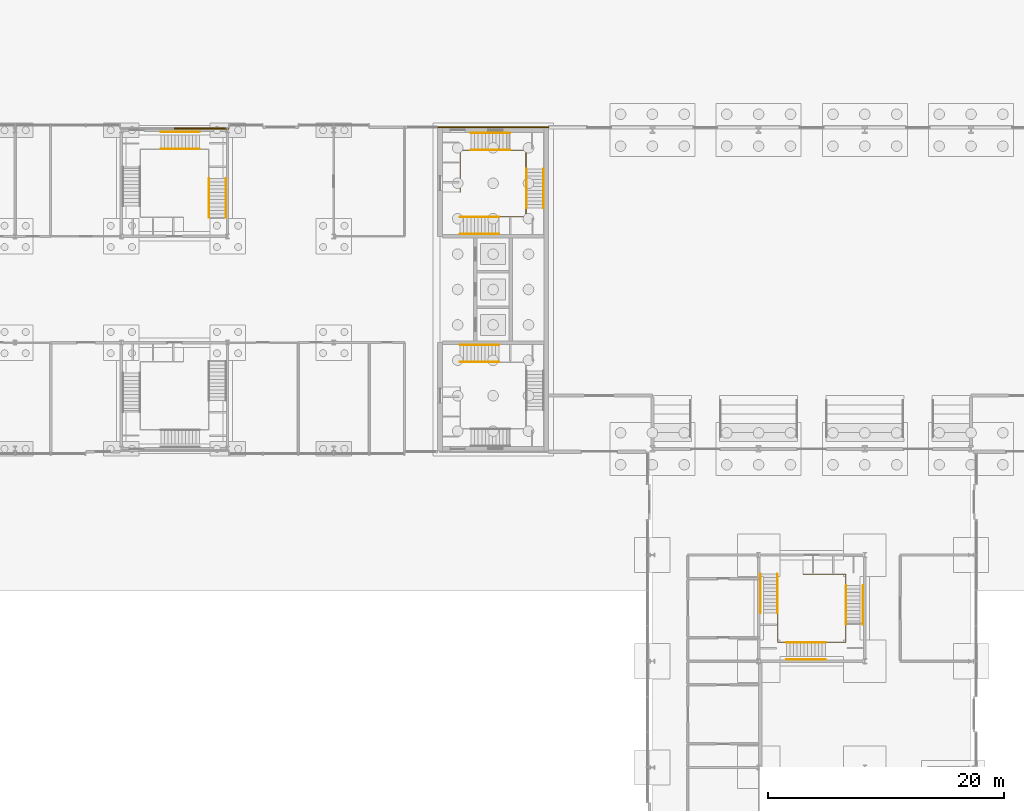
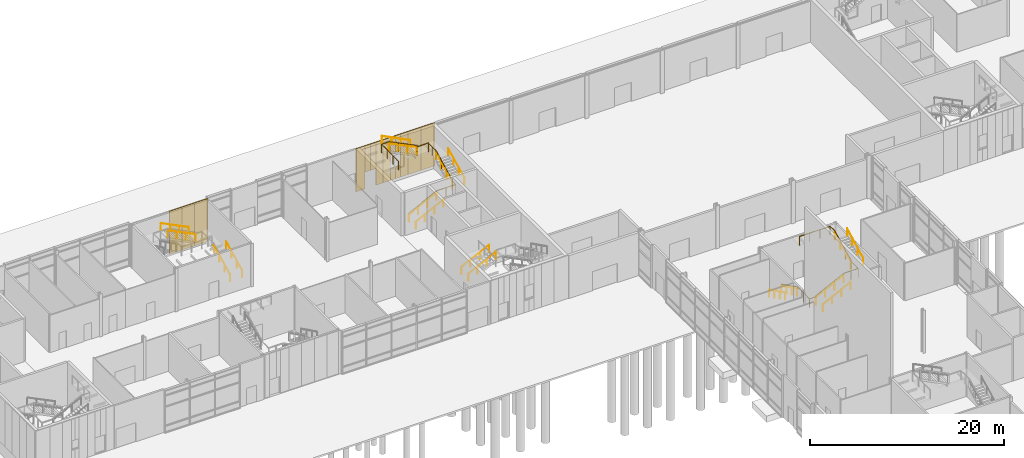
# One storey, part 41 of 45: 20 railings, 15 coverings.
"""IFC4 building model written with IfcOpenShell, lengths in metres."""

from ifc_helpers import new_model, si_unit, direction, frame, origin, origin_2d, place, context, subcontext, project, spatial, rectangle, circle, extrude, material, layer, layer_set, type_object, element, save


model = new_model("IFC4")

# Units and contexts
model_context = context("Model", 3, precision=1e-05, world=origin(), true_north=direction((0.0, 1.0)))
body_context = subcontext(model_context, "Body", "Model", "MODEL_VIEW")
ifc_project = project(units=[si_unit("LENGTHUNIT", "METRE"), si_unit("AREAUNIT", "SQUARE_METRE"), si_unit("VOLUMEUNIT", "CUBIC_METRE"), si_unit("PLANEANGLEUNIT", "RADIAN"), si_unit("MASSUNIT", "GRAM", prefix="KILO")], contexts=[model_context])

# Site, building, storey
site_placement = place(None, origin())
site = spatial("IfcSite", under=ifc_project, at=site_placement, CompositionType="ELEMENT")
building_placement = place(site_placement, origin())
building = spatial("IfcBuilding", under=site, at=building_placement, Name="Azimuth Sports and Learning Centre", CompositionType="ELEMENT")
storey_placement = place(building_placement, origin())
storey = spatial("IfcBuildingStorey", under=building, at=storey_placement, Name="L00", CompositionType="ELEMENT", Elevation=0.0)

# Coverings
ifc_material_1 = material(Name="Cladding panel")
ifc_layer = layer(ifc_material_1, 0.10009765625)
ifc_layer_set = layer_set([ifc_layer], Name="Cladding panel")
covering_type = type_object("IfcCoveringType", Name="Cladding panel 100", PredefinedType="CLADDING", material=ifc_layer_set)
covering_1_placement = place(storey_placement, frame((62.35009765625, 117.25, 0.0), z_axis=(0.0, 0.0, 1.0), x_axis=(-1.0, 0.0, 0.0)))
element("IfcCovering", 1, at=covering_1_placement, inside=storey, type_object=covering_type, Name="Cladding panel N-CORE W L00 1", PredefinedType="CLADDING", context=body_context, shape_type="SweptSolid", body=[
    extrude(rectangle(XDim=1.699951171875, YDim=0.10009765625, at=origin_2d()), origin(), (0.0, 0.0, 1.0), 5.39990234375),
])
covering_2_placement = place(storey_placement, frame((60.75, 117.25, 0.0), z_axis=(0.0, 0.0, 1.0), x_axis=(-1.0, 0.0, 0.0)))
element("IfcCovering", 2, at=covering_2_placement, inside=storey, type_object=covering_type, Name="Cladding panel N-CORE W L00 2", PredefinedType="CLADDING", context=body_context, shape_type="SweptSolid", body=[
    extrude(rectangle(XDim=1.5, YDim=0.10009765625, at=origin_2d()), origin(), (0.0, 0.0, 1.0), 5.39990234375),
])
covering_3_placement = place(storey_placement, frame((59.550048828125, 117.25, 0.0), z_axis=(0.0, 0.0, 1.0), x_axis=(-1.0, 0.0, 0.0)))
element("IfcCovering", 3, at=covering_3_placement, inside=storey, type_object=covering_type, Name="Cladding panel N-CORE W L00 3", PredefinedType="CLADDING", context=body_context, shape_type="SweptSolid", body=[
    extrude(rectangle(XDim=0.89990234375, YDim=0.10009765625, at=origin_2d()), origin(), (0.0, 0.0, 1.0), 5.39990234375),
])
covering_4_placement = place(storey_placement, frame((58.800048828125, 117.25, 0.0), z_axis=(0.0, 0.0, 1.0), x_axis=(-1.0, 0.0, 0.0)))
element("IfcCovering", 4, at=covering_4_placement, inside=storey, type_object=covering_type, Name="Cladding panel N-CORE W L00 4", PredefinedType="CLADDING", context=body_context, shape_type="SweptSolid", body=[
    extrude(rectangle(XDim=0.60009765625, YDim=0.10009765625, at=origin_2d()), origin(), (0.0, 0.0, 1.0), 1.5),
])
covering_5_placement = place(storey_placement, frame((58.800048828125, 117.25, 3.300048828125), z_axis=(0.0, 0.0, 1.0), x_axis=(-1.0, 0.0, 0.0)))
element("IfcCovering", 5, at=covering_5_placement, inside=storey, type_object=covering_type, Name="Cladding panel N-CORE W L00 5", PredefinedType="CLADDING", context=body_context, shape_type="SweptSolid", body=[
    extrude(rectangle(XDim=0.60009765625, YDim=0.10009765625, at=origin_2d()), origin(), (0.0, 0.0, 1.0), 2.10009765625),
])
covering_6_placement = place(storey_placement, frame((57.449951171875, 117.25, 0.0), z_axis=(0.0, 0.0, 1.0), x_axis=(-1.0, 0.0, 0.0)))
element("IfcCovering", 6, at=covering_6_placement, inside=storey, type_object=covering_type, Name="Cladding panel N-CORE W L00 6", PredefinedType="CLADDING", context=body_context, shape_type="SweptSolid", body=[
    extrude(rectangle(XDim=0.89990234375, YDim=0.10009765625, at=origin_2d()), origin(), (0.0, 0.0, 1.0), 5.39990234375),
])
covering_7_placement = place(storey_placement, frame((58.199951171875, 117.25, 0.0), z_axis=(0.0, 0.0, 1.0), x_axis=(-1.0, 0.0, 0.0)))
element("IfcCovering", 7, at=covering_7_placement, inside=storey, type_object=covering_type, Name="Cladding panel N-CORE W L00 7", PredefinedType="CLADDING", context=body_context, shape_type="SweptSolid", body=[
    extrude(rectangle(XDim=0.60009765625, YDim=0.10009765625, at=origin_2d()), origin(), (0.0, 0.0, 1.0), 1.5),
])
covering_8_placement = place(storey_placement, frame((58.199951171875, 117.25, 3.300048828125), z_axis=(0.0, 0.0, 1.0), x_axis=(-1.0, 0.0, 0.0)))
element("IfcCovering", 8, at=covering_8_placement, inside=storey, type_object=covering_type, Name="Cladding panel N-CORE W L00 8", PredefinedType="CLADDING", context=body_context, shape_type="SweptSolid", body=[
    extrude(rectangle(XDim=0.60009765625, YDim=0.10009765625, at=origin_2d()), origin(), (0.0, 0.0, 1.0), 2.10009765625),
])
covering_9_placement = place(storey_placement, frame((55.824951171875, 117.25, 2.10009765625), z_axis=(0.0, 0.0, 1.0), x_axis=(-1.0, 0.0, 0.0)))
element("IfcCovering", 9, at=covering_9_placement, inside=storey, type_object=covering_type, Name="Cladding panel N-CORE W L00 9", PredefinedType="CLADDING", context=body_context, shape_type="SweptSolid", body=[
    extrude(rectangle(XDim=0.64990234375, YDim=0.10009765625, at=origin_2d()), origin(), (0.0, 0.0, 1.0), 3.300048828125),
])
covering_10_placement = place(storey_placement, frame((56.574951171875, 117.25, 0.0), z_axis=(0.0, 0.0, 1.0), x_axis=(-1.0, 0.0, 0.0)))
element("IfcCovering", 10, at=covering_10_placement, inside=storey, type_object=covering_type, Name="Cladding panel N-CORE W L00 10", PredefinedType="CLADDING", context=body_context, shape_type="SweptSolid", body=[
    extrude(rectangle(XDim=0.85009765625, YDim=0.10009765625, at=origin_2d()), origin(), (0.0, 0.0, 1.0), 5.39990234375),
])
covering_11_placement = place(storey_placement, frame((55.175048828125, 117.25, 2.10009765625), z_axis=(0.0, 0.0, 1.0), x_axis=(-1.0, 0.0, 0.0)))
element("IfcCovering", 11, at=covering_11_placement, inside=storey, type_object=covering_type, Name="Cladding panel N-CORE W L00 11", PredefinedType="CLADDING", context=body_context, shape_type="SweptSolid", body=[
    extrude(rectangle(XDim=0.64990234375, YDim=0.10009765625, at=origin_2d()), origin(), (0.0, 0.0, 1.0), 3.300048828125),
])
covering_12_placement = place(storey_placement, frame((54.324951171875, 117.25, 0.0), z_axis=(0.0, 0.0, 1.0), x_axis=(-1.0, 0.0, 0.0)))
element("IfcCovering", 12, at=covering_12_placement, inside=storey, type_object=covering_type, Name="Cladding panel N-CORE W L00 12", PredefinedType="CLADDING", context=body_context, shape_type="SweptSolid", body=[
    extrude(rectangle(XDim=1.050048828125, YDim=0.10009765625, at=origin_2d()), origin(), (0.0, 0.0, 1.0), 5.39990234375),
])
covering_13_placement = place(storey_placement, frame((35.300048828125, 117.14990234375, 0.0), z_axis=(0.0, 0.0, 1.0), x_axis=(-1.0, 0.0, 0.0)))
element("IfcCovering", 13, at=covering_13_placement, inside=storey, type_object=covering_type, Name="Cladding panel N-WM2 L00 1", PredefinedType="CLADDING", context=body_context, shape_type="SweptSolid", body=[
    extrude(rectangle(XDim=1.60009765625, YDim=0.10009765625, at=origin_2d()), origin(), (0.0, 0.0, 1.0), 5.39990234375),
])
for number, where, z_axis, x_axis, name in (
    (14, (33.75, 117.14990234375, 0.0), (0.0, 0.0, 1.0), (-1.0, 0.0, 0.0), "Cladding panel N-WM2 L00 2"),
    (15, (32.25, 117.14990234375, 0.0), (0.0, 0.0, 1.0), (-1.0, 0.0, 0.0), "Cladding panel N-WM2 L00 3"),
):
    element("IfcCovering", number, at=place(storey_placement, frame(where, z_axis=z_axis, x_axis=x_axis)), inside=storey, type_object=covering_type, Name=name, PredefinedType="CLADDING", context=body_context, shape_type="SweptSolid", body=[
        extrude(rectangle(XDim=1.5, YDim=0.10009765625, at=origin_2d()), origin(), (0.0, 0.0, 1.0), 5.39990234375),
    ])

# Railings
ifc_material_2 = material(Name="Stainless steel", Category="steel")
railing_type_1 = type_object("IfcRailingType", Name="Stair guard 1100", PredefinedType="GUARDRAIL", material=ifc_material_2)
railing_1_placement = place(storey_placement, frame((55.7099609375, 109.659912109375, 0.14990234375)))
element("IfcRailing", 16, at=railing_1_placement, inside=storey, type_object=railing_type_1, Name="Guard W2 L00 well", PredefinedType="GUARDRAIL", context=body_context, shape_type="SweptSolid", body=[
    extrude(circle(Radius=0.02392578125, at=origin_2d()), frame((0.0, 0.0, 1.076171875), z_axis=(0.894413956696, 0.0, 0.447240063129), x_axis=(0.0, 1.0, 0.0)), (0.0, 0.0, 1.0), 3.689697265625),
    extrude(circle(Radius=0.02392578125, at=origin_2d()), frame((3.300048828125, 0.0, 2.72607421875), z_axis=(1.0, 0.0, 0.0), x_axis=(0.0, 1.0, 0.0)), (0.0, 0.0, 1.0), 2.280029296875),
    extrude(circle(Radius=0.02392578125, at=origin_2d()), frame((5.580078125, 0.0, 2.72607421875), z_axis=(0.0, 1.0, 0.0), x_axis=(-1.0, 0.0, 0.0)), (0.0, 0.0, 1.0), 0.75),
    extrude(circle(Radius=0.02392578125, at=origin_2d()), frame((5.580078125, 0.75, 2.72607421875), z_axis=(0.0, 0.0, 1.0), x_axis=(1.0, 0.0, 0.0)), (0.0, 0.0, 1.0), 0.14990234375),
    extrude(circle(Radius=0.02392578125, at=origin_2d()), frame((5.580078125, 0.75, 2.8759765625), z_axis=(0.0, 0.894413956696, 0.447240063129), x_axis=(-1.0, 0.0, 0.0)), (0.0, 0.0, 1.0), 3.689697265625),
    extrude(circle(Radius=0.02392578125, at=origin_2d()), frame((5.580078125, 4.050048828125, 4.5263671875), z_axis=(0.0, 1.0, 0.0), x_axis=(-1.0, 0.0, 0.0)), (0.0, 0.0, 1.0), 1.580078125),
    extrude(circle(Radius=0.02392578125, at=origin_2d()), frame((5.580078125, 5.630126953125, 4.5263671875), z_axis=(-1.0, 0.0, 0.0), x_axis=(0.0, -1.0, 0.0)), (0.0, 0.0, 1.0), 1.35009765625),
    extrude(circle(Radius=0.02392578125, at=origin_2d()), frame((4.22998046875, 5.630126953125, 4.5263671875), z_axis=(0.0, 0.0, 1.0), x_axis=(1.0, 0.0, 0.0)), (0.0, 0.0, 1.0), 0.14990234375),
    extrude(circle(Radius=0.02392578125, at=origin_2d()), frame((4.22998046875, 5.630126953125, 4.67626953125), z_axis=(-0.894440424912, 0.0, 0.447187126696), x_axis=(0.0, -1.0, 0.0)), (0.0, 0.0, 1.0), 3.689453125),
    extrude(circle(Radius=0.02392578125, at=origin_2d()), frame((0.929931640625, 5.630126953125, 6.326171875), z_axis=(-1.0, 0.0, 0.0), x_axis=(0.0, -1.0, 0.0)), (0.0, 0.0, 1.0), 0.929931640625),
    extrude(circle(Radius=0.02392578125, at=origin_2d()), frame((0.0, 5.630126953125, 6.326171875), z_axis=(0.0, -1.0, 0.0), x_axis=(1.0, 0.0, 0.0)), (0.0, 0.0, 1.0), 3.5400390625),
    extrude(circle(Radius=0.01611328125, at=origin_2d()), origin(), (0.0, 0.0, 1.0), 1.052001953125),
    extrude(circle(Radius=0.01611328125, at=origin_2d()), frame((1.10009765625, 0.0, 0.550048828125)), (0.0, 0.0, 1.0), 1.052001953125),
    extrude(circle(Radius=0.01611328125, at=origin_2d()), frame((2.199951171875, 0.0, 1.10009765625)), (0.0, 0.0, 1.0), 1.052001953125),
    extrude(circle(Radius=0.01611328125, at=origin_2d()), frame((3.300048828125, 0.0, 1.650146484375)), (0.0, 0.0, 1.0), 1.052001953125),
    extrude(circle(Radius=0.01611328125, at=origin_2d()), frame((4.43994140625, 0.0, 1.650146484375)), (0.0, 0.0, 1.0), 1.052001953125),
    extrude(circle(Radius=0.01611328125, at=origin_2d()), frame((5.580078125, 0.0, 1.650146484375)), (0.0, 0.0, 1.0), 1.052001953125),
    extrude(circle(Radius=0.01611328125, at=origin_2d()), frame((5.580078125, 0.75, 1.650146484375)), (0.0, 0.0, 1.0), 1.052001953125),
    extrude(circle(Radius=0.01611328125, at=origin_2d()), frame((5.580078125, 0.75, 1.800048828125)), (0.0, 0.0, 1.0), 1.052001953125),
    extrude(circle(Radius=0.01611328125, at=origin_2d()), frame((5.580078125, 1.85009765625, 2.35009765625)), (0.0, 0.0, 1.0), 1.052001953125),
    extrude(circle(Radius=0.01611328125, at=origin_2d()), frame((5.580078125, 2.949951171875, 2.900146484375)), (0.0, 0.0, 1.0), 1.052001953125),
    extrude(circle(Radius=0.01611328125, at=origin_2d()), frame((5.580078125, 4.050048828125, 3.4501953125)), (0.0, 0.0, 1.0), 1.052001953125),
    extrude(circle(Radius=0.01611328125, at=origin_2d()), frame((5.580078125, 4.840087890625, 3.4501953125)), (0.0, 0.0, 1.0), 1.052001953125),
    extrude(circle(Radius=0.01611328125, at=origin_2d()), frame((5.580078125, 5.630126953125, 3.4501953125)), (0.0, 0.0, 1.0), 1.052001953125),
    extrude(circle(Radius=0.01611328125, at=origin_2d()), frame((4.22998046875, 5.630126953125, 3.4501953125)), (0.0, 0.0, 1.0), 1.052001953125),
    extrude(circle(Radius=0.01611328125, at=origin_2d()), frame((4.22998046875, 5.630126953125, 3.60009765625)), (0.0, 0.0, 1.0), 1.052001953125),
    extrude(circle(Radius=0.01611328125, at=origin_2d()), frame((3.1298828125, 5.630126953125, 4.150146484375)), (0.0, 0.0, 1.0), 1.052001953125),
    extrude(circle(Radius=0.01611328125, at=origin_2d()), frame((2.030029296875, 5.630126953125, 4.699951171875)), (0.0, 0.0, 1.0), 1.052001953125),
    extrude(circle(Radius=0.01611328125, at=origin_2d()), frame((0.929931640625, 5.630126953125, 5.25)), (0.0, 0.0, 1.0), 1.052001953125),
    extrude(circle(Radius=0.01611328125, at=origin_2d()), frame((0.0, 5.630126953125, 5.25)), (0.0, 0.0, 1.0), 1.052001953125),
    extrude(circle(Radius=0.01611328125, at=origin_2d()), frame((0.0, 4.4501953125, 5.25)), (0.0, 0.0, 1.0), 1.052001953125),
    extrude(circle(Radius=0.01611328125, at=origin_2d()), frame((0.0, 3.27001953125, 5.25)), (0.0, 0.0, 1.0), 1.052001953125),
    extrude(circle(Radius=0.01611328125, at=origin_2d()), frame((0.0, 2.090087890625, 5.25)), (0.0, 0.0, 1.0), 1.052001953125),
])
railing_2_placement = place(storey_placement, frame((82.610107421875, 79.389892578125, 0.14990234375)))
element("IfcRailing", 17, at=railing_2_placement, inside=storey, type_object=railing_type_1, Name="Guard STD L00 well", PredefinedType="GUARDRAIL", context=body_context, shape_type="SweptSolid", body=[
    extrude(circle(Radius=0.02392578125, at=origin_2d()), frame((0.0, 0.0, 1.076171875), z_axis=(0.0, -0.894400720042, 0.447266533499), x_axis=(1.0, 0.0, 0.0)), (0.0, 0.0, 1.0), 3.689453125),
    extrude(circle(Radius=0.02392578125, at=origin_2d()), frame((0.0, -3.2998046875, 2.72607421875), z_axis=(0.0, -1.0, 0.0), x_axis=(1.0, 0.0, 0.0)), (0.0, 0.0, 1.0), 2.47998046875),
    extrude(circle(Radius=0.02392578125, at=origin_2d()), frame((0.0, -5.77978515625, 2.72607421875), z_axis=(1.0, 0.0, 0.0), x_axis=(0.0, 1.0, 0.0)), (0.0, 0.0, 1.0), 0.75),
    extrude(circle(Radius=0.02392578125, at=origin_2d()), frame((0.75, -5.77978515625, 2.72607421875), z_axis=(0.0, 0.0, 1.0), x_axis=(1.0, 0.0, 0.0)), (0.0, 0.0, 1.0), 0.14990234375),
    extrude(circle(Radius=0.02392578125, at=origin_2d()), frame((0.75, -5.77978515625, 2.8759765625), z_axis=(0.894400720042, 0.0, 0.447266533499), x_axis=(0.0, 1.0, 0.0)), (0.0, 0.0, 1.0), 3.689453125),
    extrude(circle(Radius=0.02392578125, at=origin_2d()), frame((4.0498046875, -5.77978515625, 4.5263671875), z_axis=(1.0, 0.0, 0.0), x_axis=(0.0, 1.0, 0.0)), (0.0, 0.0, 1.0), 1.72998046875),
    extrude(circle(Radius=0.02392578125, at=origin_2d()), frame((5.77978515625, -5.77978515625, 4.5263671875), z_axis=(0.0, 1.0, 0.0), x_axis=(-1.0, 0.0, 0.0)), (0.0, 0.0, 1.0), 1.5),
    extrude(circle(Radius=0.02392578125, at=origin_2d()), frame((5.77978515625, -4.27978515625, 4.5263671875), z_axis=(0.0, 0.0, 1.0), x_axis=(1.0, 0.0, 0.0)), (0.0, 0.0, 1.0), 0.14990234375),
    extrude(circle(Radius=0.02392578125, at=origin_2d()), frame((5.77978515625, -4.27978515625, 4.67626953125), z_axis=(0.0, 0.894427191, 0.4472135955), x_axis=(-1.0, 0.0, 0.0)), (0.0, 0.0, 1.0), 3.689208984375),
    extrude(circle(Radius=0.02392578125, at=origin_2d()), frame((5.77978515625, -0.97998046875, 6.326171875), z_axis=(0.0, 1.0, 0.0), x_axis=(-1.0, 0.0, 0.0)), (0.0, 0.0, 1.0), 0.97998046875),
    extrude(circle(Radius=0.02392578125, at=origin_2d()), frame((5.77978515625, 0.0, 6.326171875), z_axis=(-1.0, 0.0, 0.0), x_axis=(0.0, -1.0, 0.0)), (0.0, 0.0, 1.0), 3.639892578125),
    extrude(circle(Radius=0.01611328125, at=origin_2d()), origin(), (0.0, 0.0, 1.0), 1.052001953125),
    extrude(circle(Radius=0.01611328125, at=origin_2d()), frame((0.0, -1.099853515625, 0.550048828125)), (0.0, 0.0, 1.0), 1.052001953125),
    extrude(circle(Radius=0.01611328125, at=origin_2d()), frame((0.0, -2.199951171875, 1.10009765625)), (0.0, 0.0, 1.0), 1.052001953125),
    extrude(circle(Radius=0.01611328125, at=origin_2d()), frame((0.0, -3.2998046875, 1.650146484375)), (0.0, 0.0, 1.0), 1.052001953125),
    extrude(circle(Radius=0.01611328125, at=origin_2d()), frame((0.0, -4.539794921875, 1.650146484375)), (0.0, 0.0, 1.0), 1.052001953125),
    extrude(circle(Radius=0.01611328125, at=origin_2d()), frame((0.0, -5.77978515625, 1.650146484375)), (0.0, 0.0, 1.0), 1.052001953125),
    extrude(circle(Radius=0.01611328125, at=origin_2d()), frame((0.75, -5.77978515625, 1.650146484375)), (0.0, 0.0, 1.0), 1.052001953125),
    extrude(circle(Radius=0.01611328125, at=origin_2d()), frame((0.75, -5.77978515625, 1.800048828125)), (0.0, 0.0, 1.0), 1.052001953125),
    extrude(circle(Radius=0.01611328125, at=origin_2d()), frame((1.849853515625, -5.77978515625, 2.35009765625)), (0.0, 0.0, 1.0), 1.052001953125),
    extrude(circle(Radius=0.01611328125, at=origin_2d()), frame((2.949951171875, -5.77978515625, 2.900146484375)), (0.0, 0.0, 1.0), 1.052001953125),
    extrude(circle(Radius=0.01611328125, at=origin_2d()), frame((4.0498046875, -5.77978515625, 3.4501953125)), (0.0, 0.0, 1.0), 1.052001953125),
    extrude(circle(Radius=0.01611328125, at=origin_2d()), frame((4.914794921875, -5.77978515625, 3.4501953125)), (0.0, 0.0, 1.0), 1.052001953125),
    extrude(circle(Radius=0.01611328125, at=origin_2d()), frame((5.77978515625, -5.77978515625, 3.4501953125)), (0.0, 0.0, 1.0), 1.052001953125),
    extrude(circle(Radius=0.01611328125, at=origin_2d()), frame((5.77978515625, -4.27978515625, 3.4501953125)), (0.0, 0.0, 1.0), 1.052001953125),
    extrude(circle(Radius=0.01611328125, at=origin_2d()), frame((5.77978515625, -4.27978515625, 3.60009765625)), (0.0, 0.0, 1.0), 1.052001953125),
    extrude(circle(Radius=0.01611328125, at=origin_2d()), frame((5.77978515625, -3.179931640625, 4.150146484375)), (0.0, 0.0, 1.0), 1.052001953125),
    extrude(circle(Radius=0.01611328125, at=origin_2d()), frame((5.77978515625, -2.079833984375, 4.699951171875)), (0.0, 0.0, 1.0), 1.052001953125),
    extrude(circle(Radius=0.01611328125, at=origin_2d()), frame((5.77978515625, -0.97998046875, 5.25)), (0.0, 0.0, 1.0), 1.052001953125),
    extrude(circle(Radius=0.01611328125, at=origin_2d()), frame((5.77978515625, 0.0, 5.25)), (0.0, 0.0, 1.0), 1.052001953125),
    extrude(circle(Radius=0.01611328125, at=origin_2d()), frame((4.56640625, 0.0, 5.25)), (0.0, 0.0, 1.0), 1.052001953125),
    extrude(circle(Radius=0.01611328125, at=origin_2d()), frame((3.353271484375, 0.0, 5.25)), (0.0, 0.0, 1.0), 1.052001953125),
    extrude(circle(Radius=0.01611328125, at=origin_2d()), frame((2.139892578125, 0.0, 5.25)), (0.0, 0.0, 1.0), 1.052001953125),
])
ifc_material_3 = material(Name="Stainless steel", Category="steel")
railing_type_2 = type_object("IfcRailingType", Name="Stair handrail 42", PredefinedType="HANDRAIL", material=ifc_material_3)
for number, where, name in (
    (18, (55.7099609375, 97.3701171875, 0.14990234375), "Handrail W1 L00 flight 1 inner"),
    (19, (55.7099609375, 98.81005859375, 0.14990234375), "Handrail W1 L00 flight 1 outer"),
    (20, (55.7099609375, 109.6298828125, 0.14990234375), "Handrail W2 L00 flight 1 inner"),
    (21, (55.7099609375, 108.18994140625, 0.14990234375), "Handrail W2 L00 flight 1 outer"),
):
    element("IfcRailing", number, at=place(storey_placement, frame(where)), inside=storey, type_object=railing_type_2, Name=name, PredefinedType="HANDRAIL", context=body_context, shape_type="SweptSolid", body=[
        extrude(circle(Radius=0.02099609375, at=origin_2d()), frame((0.0, 0.0, 0.87890625), z_axis=(0.894413956696, 0.0, 0.447240063129), x_axis=(0.0, 1.0, 0.0)), (0.0, 0.0, 1.0), 3.689697265625),
        extrude(circle(Radius=0.01611328125, at=origin_2d()), origin(), (0.0, 0.0, 1.0), 0.85791015625),
        extrude(circle(Radius=0.01611328125, at=origin_2d()), frame((1.10009765625, 0.0, 0.550048828125)), (0.0, 0.0, 1.0), 0.85791015625),
        extrude(circle(Radius=0.01611328125, at=origin_2d()), frame((2.199951171875, 0.0, 1.10009765625)), (0.0, 0.0, 1.0), 0.85791015625),
        extrude(circle(Radius=0.01611328125, at=origin_2d()), frame((3.300048828125, 0.0, 1.650146484375)), (0.0, 0.0, 1.0), 0.85791015625),
    ])
for number, where, name in (
    (22, (61.320068359375, 110.409912109375, 1.949951171875), "Handrail W2 L00 flight 2 inner"),
    (23, (62.760009765625, 110.409912109375, 1.949951171875), "Handrail W2 L00 flight 2 outer"),
):
    element("IfcRailing", number, at=place(storey_placement, frame(where)), inside=storey, type_object=railing_type_2, Name=name, PredefinedType="HANDRAIL", context=body_context, shape_type="SweptSolid", body=[
        extrude(circle(Radius=0.02099609375, at=origin_2d()), frame((0.0, 0.0, 0.87890625), z_axis=(0.0, 0.894413956696, 0.447240063129), x_axis=(-1.0, 0.0, 0.0)), (0.0, 0.0, 1.0), 3.689697265625),
        extrude(circle(Radius=0.01611328125, at=origin_2d()), origin(), (0.0, 0.0, 1.0), 0.85791015625),
        extrude(circle(Radius=0.01611328125, at=origin_2d()), frame((0.0, 1.10009765625, 0.550048828125)), (0.0, 0.0, 1.0), 0.85791015625),
        extrude(circle(Radius=0.01611328125, at=origin_2d()), frame((0.0, 2.199951171875, 1.10009765625)), (0.0, 0.0, 1.0), 0.85791015625),
        extrude(circle(Radius=0.01611328125, at=origin_2d()), frame((0.0, 3.300048828125, 1.650146484375)), (0.0, 0.0, 1.0), 0.85791015625),
    ])
for number, where, name in (
    (24, (59.93994140625, 115.320068359375, 3.75), "Handrail W2 L00 flight 3 inner"),
    (25, (59.93994140625, 116.760009765625, 3.75), "Handrail W2 L00 flight 3 outer"),
):
    element("IfcRailing", number, at=place(storey_placement, frame(where)), inside=storey, type_object=railing_type_2, Name=name, PredefinedType="HANDRAIL", context=body_context, shape_type="SweptSolid", body=[
        extrude(circle(Radius=0.02099609375, at=origin_2d()), frame((0.0, 0.0, 0.87890625), z_axis=(-0.894440424912, 0.0, 0.447187126696), x_axis=(0.0, -1.0, 0.0)), (0.0, 0.0, 1.0), 3.689453125),
        extrude(circle(Radius=0.01611328125, at=origin_2d()), origin(), (0.0, 0.0, 1.0), 0.85791015625),
        extrude(circle(Radius=0.01611328125, at=origin_2d()), frame((-1.10009765625, 0.0, 0.550048828125)), (0.0, 0.0, 1.0), 0.85791015625),
        extrude(circle(Radius=0.01611328125, at=origin_2d()), frame((-2.199951171875, 0.0, 1.099853515625)), (0.0, 0.0, 1.0), 0.85791015625),
        extrude(circle(Radius=0.01611328125, at=origin_2d()), frame((-3.300048828125, 0.0, 1.64990234375)), (0.0, 0.0, 1.0), 0.85791015625),
    ])
for number, where, name in (
    (26, (34.419921875, 109.610107421875, 0.14990234375), "Handrail WM2 L00 flight 1 inner"),
    (27, (35.860107421875, 109.610107421875, 0.14990234375), "Handrail WM2 L00 flight 1 outer"),
):
    element("IfcRailing", number, at=place(storey_placement, frame(where)), inside=storey, type_object=railing_type_2, Name=name, PredefinedType="HANDRAIL", context=body_context, shape_type="SweptSolid", body=[
        extrude(circle(Radius=0.02099609375, at=origin_2d()), frame((0.0, 0.0, 0.87890625), z_axis=(0.0, 0.894400720042, 0.447266533499), x_axis=(-1.0, 0.0, 0.0)), (0.0, 0.0, 1.0), 3.689453125),
        extrude(circle(Radius=0.01611328125, at=origin_2d()), origin(), (0.0, 0.0, 1.0), 0.85791015625),
        extrude(circle(Radius=0.01611328125, at=origin_2d()), frame((0.0, 1.099853515625, 0.550048828125)), (0.0, 0.0, 1.0), 0.85791015625),
        extrude(circle(Radius=0.01611328125, at=origin_2d()), frame((0.0, 2.199951171875, 1.10009765625)), (0.0, 0.0, 1.0), 0.85791015625),
        extrude(circle(Radius=0.01611328125, at=origin_2d()), frame((0.0, 3.2998046875, 1.650146484375)), (0.0, 0.0, 1.0), 0.85791015625),
    ])
for number, where, name in (
    (28, (33.639892578125, 115.419921875, 1.949951171875), "Handrail WM2 L00 flight 2 inner"),
    (29, (33.639892578125, 116.860107421875, 1.949951171875), "Handrail WM2 L00 flight 2 outer"),
):
    element("IfcRailing", number, at=place(storey_placement, frame(where)), inside=storey, type_object=railing_type_2, Name=name, PredefinedType="HANDRAIL", context=body_context, shape_type="SweptSolid", body=[
        extrude(circle(Radius=0.02099609375, at=origin_2d()), frame((0.0, 0.0, 0.87890625), z_axis=(-0.894400720042, 0.0, 0.447266533499), x_axis=(0.0, -1.0, 0.0)), (0.0, 0.0, 1.0), 3.689453125),
        extrude(circle(Radius=0.01611328125, at=origin_2d()), origin(), (0.0, 0.0, 1.0), 0.85791015625),
        extrude(circle(Radius=0.01611328125, at=origin_2d()), frame((-1.099853515625, 0.0, 0.550048828125)), (0.0, 0.0, 1.0), 0.85791015625),
        extrude(circle(Radius=0.01611328125, at=origin_2d()), frame((-2.199951171875, 0.0, 1.10009765625)), (0.0, 0.0, 1.0), 0.85791015625),
        extrude(circle(Radius=0.01611328125, at=origin_2d()), frame((-3.2998046875, 0.0, 1.650146484375)), (0.0, 0.0, 1.0), 0.85791015625),
    ])
for number, where, name in (
    (30, (82.580078125, 79.389892578125, 0.14990234375), "Handrail STD L00 flight 1 inner"),
    (31, (81.139892578125, 79.389892578125, 0.14990234375), "Handrail STD L00 flight 1 outer"),
):
    element("IfcRailing", number, at=place(storey_placement, frame(where)), inside=storey, type_object=railing_type_2, Name=name, PredefinedType="HANDRAIL", context=body_context, shape_type="SweptSolid", body=[
        extrude(circle(Radius=0.02099609375, at=origin_2d()), frame((0.0, 0.0, 0.87890625), z_axis=(0.0, -0.894400720042, 0.447266533499), x_axis=(1.0, 0.0, 0.0)), (0.0, 0.0, 1.0), 3.689453125),
        extrude(circle(Radius=0.01611328125, at=origin_2d()), origin(), (0.0, 0.0, 1.0), 0.85791015625),
        extrude(circle(Radius=0.01611328125, at=origin_2d()), frame((0.0, -1.099853515625, 0.550048828125)), (0.0, 0.0, 1.0), 0.85791015625),
        extrude(circle(Radius=0.01611328125, at=origin_2d()), frame((0.0, -2.199951171875, 1.10009765625)), (0.0, 0.0, 1.0), 0.85791015625),
        extrude(circle(Radius=0.01611328125, at=origin_2d()), frame((0.0, -3.2998046875, 1.650146484375)), (0.0, 0.0, 1.0), 0.85791015625),
    ])
for number, where, name in (
    (32, (83.360107421875, 73.580078125, 1.949951171875), "Handrail STD L00 flight 2 inner"),
    (33, (83.360107421875, 72.139892578125, 1.949951171875), "Handrail STD L00 flight 2 outer"),
):
    element("IfcRailing", number, at=place(storey_placement, frame(where)), inside=storey, type_object=railing_type_2, Name=name, PredefinedType="HANDRAIL", context=body_context, shape_type="SweptSolid", body=[
        extrude(circle(Radius=0.02099609375, at=origin_2d()), frame((0.0, 0.0, 0.87890625), z_axis=(0.894400720042, 0.0, 0.447266533499), x_axis=(0.0, 1.0, 0.0)), (0.0, 0.0, 1.0), 3.689453125),
        extrude(circle(Radius=0.01611328125, at=origin_2d()), origin(), (0.0, 0.0, 1.0), 0.85791015625),
        extrude(circle(Radius=0.01611328125, at=origin_2d()), frame((1.099853515625, 0.0, 0.550048828125)), (0.0, 0.0, 1.0), 0.85791015625),
        extrude(circle(Radius=0.01611328125, at=origin_2d()), frame((2.199951171875, 0.0, 1.10009765625)), (0.0, 0.0, 1.0), 0.85791015625),
        extrude(circle(Radius=0.01611328125, at=origin_2d()), frame((3.2998046875, 0.0, 1.650146484375)), (0.0, 0.0, 1.0), 0.85791015625),
    ])
for number, where, name in (
    (34, (88.419921875, 75.110107421875, 3.75), "Handrail STD L00 flight 3 inner"),
    (35, (89.860107421875, 75.110107421875, 3.75), "Handrail STD L00 flight 3 outer"),
):
    element("IfcRailing", number, at=place(storey_placement, frame(where)), inside=storey, type_object=railing_type_2, Name=name, PredefinedType="HANDRAIL", context=body_context, shape_type="SweptSolid", body=[
        extrude(circle(Radius=0.02099609375, at=origin_2d()), frame((0.0, 0.0, 0.87890625), z_axis=(0.0, 0.894427191, 0.4472135955), x_axis=(-1.0, 0.0, 0.0)), (0.0, 0.0, 1.0), 3.689208984375),
        extrude(circle(Radius=0.01611328125, at=origin_2d()), origin(), (0.0, 0.0, 1.0), 0.85791015625),
        extrude(circle(Radius=0.01611328125, at=origin_2d()), frame((0.0, 1.099853515625, 0.550048828125)), (0.0, 0.0, 1.0), 0.85791015625),
        extrude(circle(Radius=0.01611328125, at=origin_2d()), frame((0.0, 2.199951171875, 1.099853515625)), (0.0, 0.0, 1.0), 0.85791015625),
        extrude(circle(Radius=0.01611328125, at=origin_2d()), frame((0.0, 3.2998046875, 1.64990234375)), (0.0, 0.0, 1.0), 0.85791015625),
    ])

save(model, "model.ifc")
